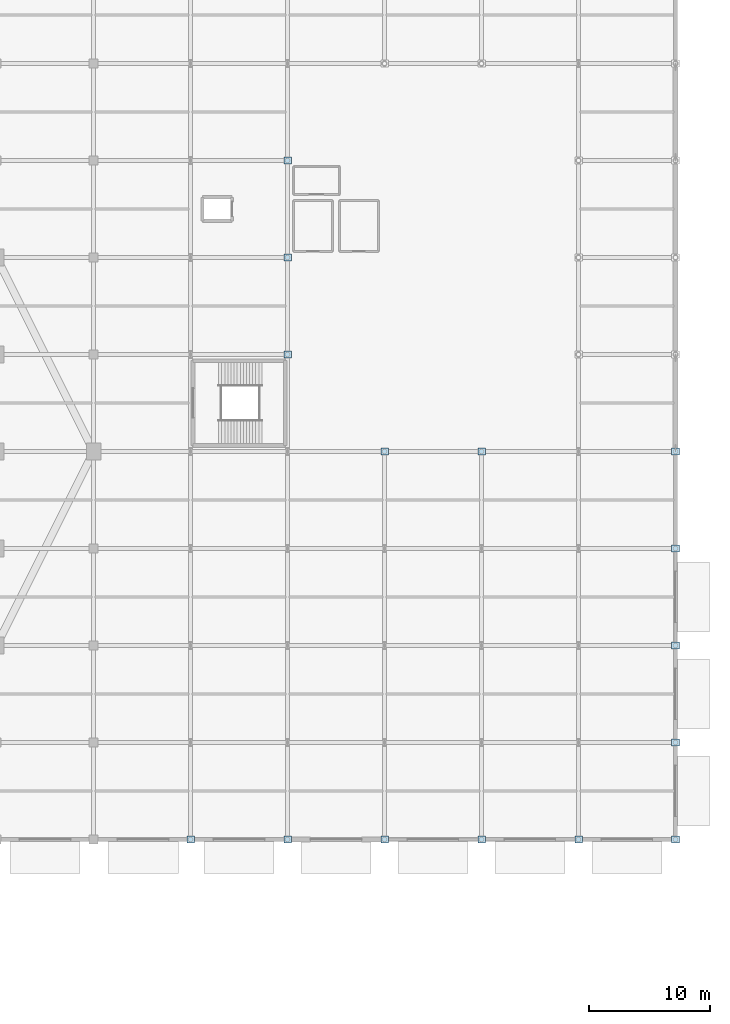
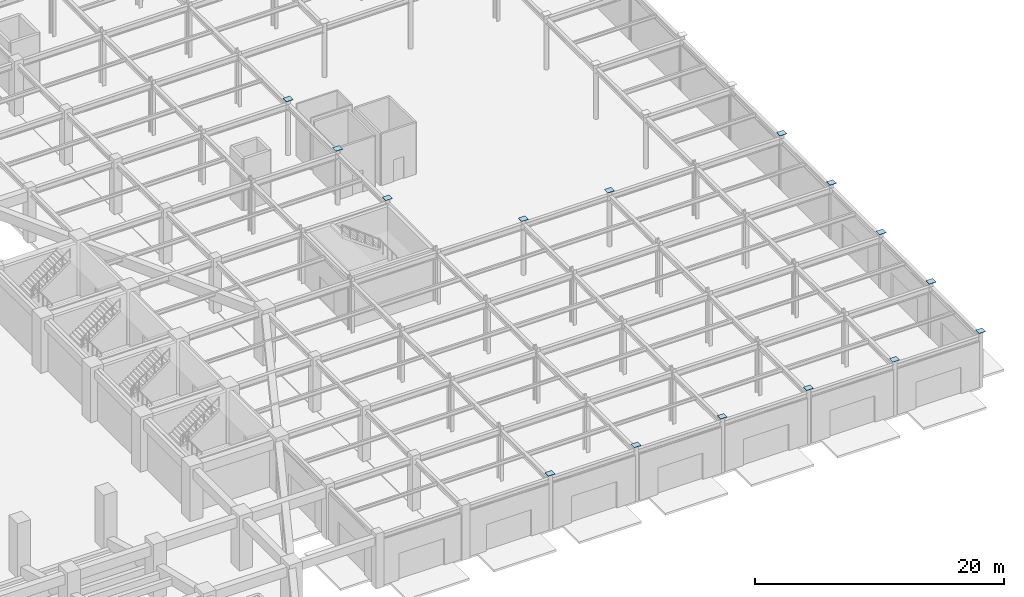
# One storey, part 19 of 39: 15 plates.
"""IFC4 building model written with IfcOpenShell, lengths in metres."""

from ifc_helpers import new_model, si_unit, direction, frame, origin, origin_2d, place, context, subcontext, project, spatial, rectangle, extrude, material, layer, layer_set, type_object, element, save


model = new_model("IFC4")

# Units and contexts
model_context = context("Model", 3, precision=1e-05, world=origin(), true_north=direction((0.0, 1.0)))
body_context = subcontext(model_context, "Body", "Model", "MODEL_VIEW")
ifc_project = project(units=[si_unit("LENGTHUNIT", "METRE"), si_unit("AREAUNIT", "SQUARE_METRE"), si_unit("VOLUMEUNIT", "CUBIC_METRE"), si_unit("PLANEANGLEUNIT", "RADIAN"), si_unit("MASSUNIT", "GRAM", prefix="KILO")], contexts=[model_context])

# Site, building, storey
site_placement = place(None, origin())
site = spatial("IfcSite", under=ifc_project, at=site_placement, CompositionType="ELEMENT")
building_placement = place(site_placement, origin())
building = spatial("IfcBuilding", under=site, at=building_placement, Name="Tazarka Park Arena", CompositionType="ELEMENT")
storey_placement = place(building_placement, origin())
storey = spatial("IfcBuildingStorey", under=building, at=storey_placement, Name="L00", CompositionType="ELEMENT", Elevation=0.0)

# Plates
ifc_material = material(Name="Steel S460", Category="steel")
ifc_layer = layer(ifc_material, 0.030029296875, Name="Steel S460")
ifc_layer_set = layer_set([ifc_layer], Name="Steel S460")
plate_type = type_object("IfcPlateType", Name="PLT-PL-01", PredefinedType="SHEET", material=ifc_layer_set)
for number, where, z_axis, x_axis, name in (
    (1, (144.0, 32.0, 5.39990234375), (0.0, 0.0, 1.0), (1.0, 0.0, 0.0), "CPL-L00-18-04"),
    (2, (152.0, 32.0, 5.39990234375), (0.0, 0.0, 1.0), (1.0, 0.0, 0.0), "CPL-L00-19-04"),
    (3, (152.0, 72.0, 5.39990234375), (0.0, 0.0, 1.0), (1.0, 0.0, 0.0), "CPL-L00-19-09"),
    (4, (152.0, 80.0, 5.39990234375), (0.0, 0.0, 1.0), (1.0, 0.0, 0.0), "CPL-L00-19-10"),
    (5, (152.0, 88.0, 5.39990234375), (0.0, 0.0, 1.0), (1.0, 0.0, 0.0), "CPL-L00-19-11"),
    (6, (160.0, 32.0, 5.39990234375), (0.0, 0.0, 1.0), (1.0, 0.0, 0.0), "CPL-L00-20-04"),
    (7, (160.0, 64.0, 5.39990234375), (0.0, 0.0, 1.0), (1.0, 0.0, 0.0), "CPL-L00-20-08"),
    (8, (168.0, 32.0, 5.39990234375), (0.0, 0.0, 1.0), (1.0, 0.0, 0.0), "CPL-L00-21-04"),
    (9, (168.0, 64.0, 5.39990234375), (0.0, 0.0, 1.0), (1.0, 0.0, 0.0), "CPL-L00-21-08"),
    (10, (176.0, 32.0, 5.39990234375), (0.0, 0.0, 1.0), (1.0, 0.0, 0.0), "CPL-L00-22-04"),
    (11, (184.0, 32.0, 5.39990234375), (0.0, 0.0, 1.0), (1.0, 0.0, 0.0), "CPL-L00-23-04"),
    (12, (184.0, 40.0, 5.39990234375), (0.0, 0.0, 1.0), (1.0, 0.0, 0.0), "CPL-L00-23-05"),
    (13, (184.0, 48.0, 5.39990234375), (0.0, 0.0, 1.0), (1.0, 0.0, 0.0), "CPL-L00-23-06"),
    (14, (184.0, 56.0, 5.39990234375), (0.0, 0.0, 1.0), (1.0, 0.0, 0.0), "CPL-L00-23-07"),
    (15, (184.0, 64.0, 5.39990234375), (0.0, 0.0, 1.0), (1.0, 0.0, 0.0), "CPL-L00-23-08"),
):
    element("IfcPlate", number, at=place(storey_placement, frame(where, z_axis=z_axis, x_axis=x_axis)), inside=storey, type_object=plate_type, Name=name, PredefinedType="SHEET", context=body_context, shape_type="SweptSolid", body=[
        extrude(rectangle(XDim=0.6201171875, YDim=0.56005859375, at=origin_2d()), origin(), (0.0, 0.0, 1.0), 0.030029296875),
    ])

save(model, "model.ifc")
